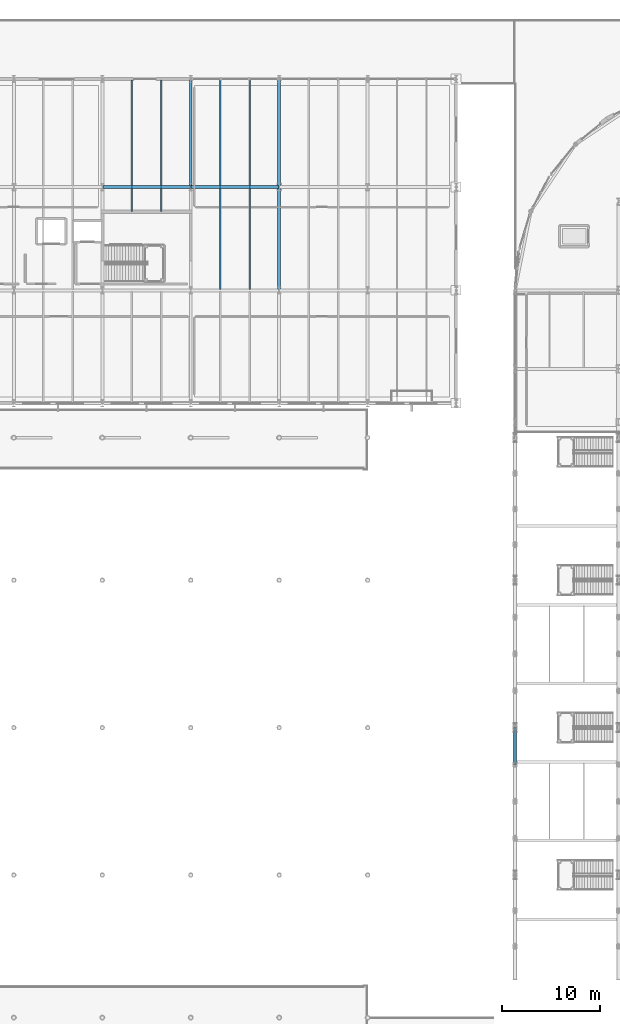
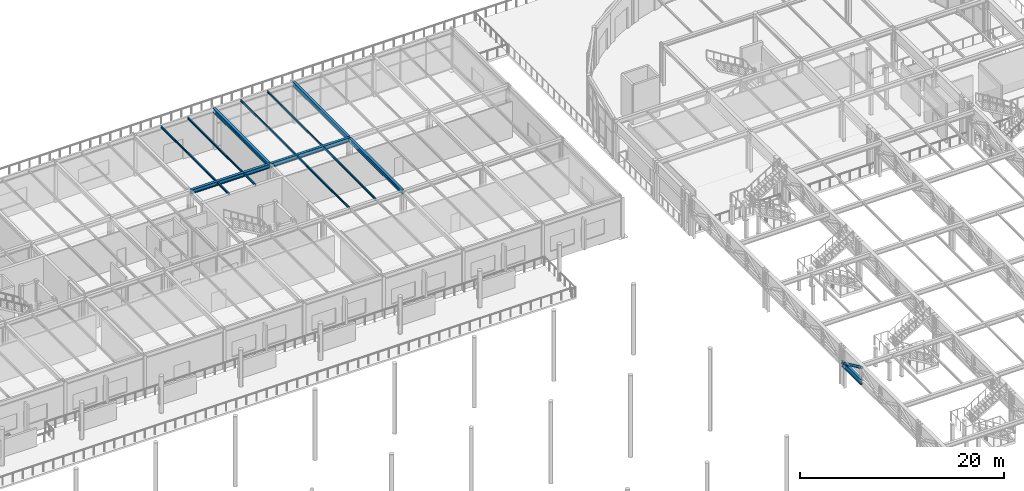
# One storey, part 37 of 143: 13 beams, 2 members.
"""IFC4 building model written with IfcOpenShell, lengths in metres."""

import ifcopenshell
import ifcopenshell.guid

model = None  # the IFC model being written
_history = None  # IfcOwnerHistory: only IFC2X3 demands one
_inside = {}  # id of a spatial element -> (the spatial element, [elements in it])
_under = {}  # id of a project, library or spatial element -> (it, [spatial elements below it])
_declared = {}  # id of a project -> (the project, [libraries it declares])
_typed = {}  # id of a type object -> (the type object, [elements of that type])
_made_of = {}  # id of a material, layer set ... -> (it, [elements and type objects made of it])


def new_model(schema):
    """Start an empty IFC model of exactly this schema.

    Asked for "IFC4X3", IfcOpenShell would pick the latest addendum, in which some entities
    have other attributes; the version numbers below select the first issue.
    IFC2X3 requires an IfcOwnerHistory on every rooted entity: one is made here for all.
    """
    global model, _history
    if schema == "IFC4X3":
        model = ifcopenshell.file(schema_version=(4, 3, 0, 0))
    else:
        model = ifcopenshell.file(schema=schema)
    _inside.clear()
    _under.clear()
    _declared.clear()
    _typed.clear()
    _made_of.clear()
    _history = None
    if model.schema == "IFC2X3":
        org = make("IfcOrganization", Name="unknown")
        user = make(
            "IfcPersonAndOrganization",
            ThePerson=make("IfcPerson", FamilyName="unknown"),
            TheOrganization=org,
        )
        app = make(
            "IfcApplication",
            ApplicationDeveloper=org,
            Version="unknown",
            ApplicationFullName="unknown",
            ApplicationIdentifier="unknown",
        )
        _history = make(
            "IfcOwnerHistory",
            OwningUser=user,
            OwningApplication=app,
            ChangeAction="ADDED",
            CreationDate=0,
        )
    return model


def make(cls, **values):
    """One entity of the class cls with the attributes given. An attribute that is None is left unset."""
    return model.create_entity(
        cls, **{name: value for name, value in values.items() if value is not None}
    )


def rooted(cls, **values):
    """An entity with a GlobalId (a new one), such as an element, a storey or a relation."""
    return make(cls, GlobalId=ifcopenshell.guid.new(), OwnerHistory=_history, **values)


def si_unit(unit_type, name, prefix=None):
    """IfcSIUnit, for example si_unit("LENGTHUNIT", "METRE", prefix="MILLI")."""
    return make("IfcSIUnit", UnitType=unit_type, Prefix=prefix, Name=name)


def assignment(units):
    """IfcUnitAssignment: the units of a project."""
    return None if units is None else make("IfcUnitAssignment", Units=units)


def point(xyz):
    """IfcCartesianPoint."""
    return None if xyz is None else make("IfcCartesianPoint", Coordinates=xyz)


def direction(xyz):
    """IfcDirection."""
    return None if xyz is None else make("IfcDirection", DirectionRatios=xyz)


def frame(location, z_axis=None, x_axis=None):
    """IfcAxis2Placement3D, a coordinate frame: its origin and axes. An axis left out is left unset."""
    return make(
        "IfcAxis2Placement3D",
        Location=point(location),
        Axis=direction(z_axis),
        RefDirection=direction(x_axis),
    )


def frame_2d(location, x_axis=None):
    """IfcAxis2Placement2D, a coordinate frame in the plane: its origin and x axis."""
    return make(
        "IfcAxis2Placement2D", Location=point(location), RefDirection=direction(x_axis)
    )


def origin():
    """The frame at (0, 0, 0) with its axes left unset."""
    return frame((0.0, 0.0, 0.0))


def origin_2d():
    """The frame at (0, 0) in the plane with its x axis left unset."""
    return frame_2d((0.0, 0.0))


def place(relative_to, where):
    """IfcLocalPlacement: puts the frame where relative to a parent placement (None: the world)."""
    return make(
        "IfcLocalPlacement", PlacementRelTo=relative_to, RelativePlacement=where
    )


def context(
    kind, dimensions, precision=None, world=None, true_north=None, identifier=None
):
    """IfcGeometricRepresentationContext, for example the 3D "Model" context."""
    return make(
        "IfcGeometricRepresentationContext",
        ContextIdentifier=identifier,
        ContextType=kind,
        CoordinateSpaceDimension=dimensions,
        Precision=precision,
        WorldCoordinateSystem=world,
        TrueNorth=true_north,
    )


def subcontext(parent, identifier, kind, view, scale=None):
    """IfcGeometricRepresentationSubContext, for example "Body" below "Model"."""
    return make(
        "IfcGeometricRepresentationSubContext",
        ContextIdentifier=identifier,
        ContextType=kind,
        ParentContext=parent,
        TargetScale=scale,
        TargetView=view,
    )


def project(units=None, contexts=None):
    """IfcProject with its units and contexts."""
    return rooted(
        "IfcProject",
        Name="project",
        RepresentationContexts=contexts,
        UnitsInContext=assignment(units),
    )


def spatial(cls, under=None, at=None, **own):
    """A site, building, storey or space (cls), placed at a placement, below another one or the project."""
    s = rooted(cls, ObjectPlacement=at, **own)
    if under is not None:
        _under.setdefault(under.id(), (under, []))[1].append(s)
    return s


def profile(cls, at=None, kind="AREA", **sizes):
    """A parametric profile (cls). Its sizes go by their IFC names, for example OverallWidth=200.0."""
    return make(cls, ProfileType=kind, Position=at, **sizes)


def hollow_circle(**sizes):
    """IfcCircleHollowProfileDef."""
    return profile("IfcCircleHollowProfileDef", **sizes)


def i_section(**sizes):
    """IfcIShapeProfileDef."""
    return profile("IfcIShapeProfileDef", **sizes)


def extrude(swept, where, along, depth):
    """IfcExtrudedAreaSolid: the profile swept, set in the frame where, extruded along a direction by depth."""
    return make(
        "IfcExtrudedAreaSolid",
        SweptArea=swept,
        Position=where,
        ExtrudedDirection=direction(along),
        Depth=depth,
    )


def shape(context_of_items, identifier, shape_type, items):
    """IfcShapeRepresentation: the items that make up one representation, for example the "Body"."""
    return make(
        "IfcShapeRepresentation",
        ContextOfItems=context_of_items,
        RepresentationIdentifier=identifier,
        RepresentationType=shape_type,
        Items=items,
    )


def material(Name=None, Category=None):
    """IfcMaterial."""
    return make("IfcMaterial", Name=Name, Category=Category)


def material_profile(
    of_material, cross_section, Name=None, Category=None, Priority=None
):
    """IfcMaterialProfile: a cross section and its material."""
    return make(
        "IfcMaterialProfile",
        Name=Name,
        Material=of_material,
        Profile=cross_section,
        Priority=Priority,
        Category=Category,
    )


def profile_set(profiles, Name=None, composite=None):
    """IfcMaterialProfileSet."""
    return make(
        "IfcMaterialProfileSet",
        Name=Name,
        MaterialProfiles=profiles,
        CompositeProfile=composite,
    )


def made_of(thing, what):
    """Note that an element or type object is made of a material, layer set ...; save() writes the relation."""
    if what is not None:
        _made_of.setdefault(what.id(), (what, []))[1].append(thing)
    return thing


def type_object(cls, material=None, **own):
    """A type object (cls), such as IfcWallType, which elements share."""
    return made_of(rooted(cls, **own), material)


def element(
    cls,
    number,
    at=None,
    inside=None,
    cuts=None,
    type_object=None,
    material=None,
    context=None,
    identifier="Body",
    shape_type=None,
    held_by="IfcProductDefinitionShape",
    body=None,
    shapes=None,
    **own,
):
    """One element of the class cls, such as IfcWall. Its Tag is "e" and its number.

    at: its placement. inside: the storey or other place that contains it. cuts: it is an
    opening in that element (IfcRelVoidsElement). A single representation is given by context,
    identifier, shape_type and body (its items); several are given by shapes. held_by: the class
    of the entity that holds the representations. save() writes the other relations.
    """
    e = rooted(cls, Tag="e%d" % number, ObjectPlacement=at, **own)
    if body is not None:
        shapes = [shape(context, identifier, shape_type, body)]
    if shapes is not None:
        e.Representation = make(held_by, Representations=shapes)
    if inside is not None:
        _inside.setdefault(inside.id(), (inside, []))[1].append(e)
    if cuts is not None:
        rooted(
            "IfcRelVoidsElement", RelatingBuildingElement=cuts, RelatedOpeningElement=e
        )
    if type_object is not None:
        _typed.setdefault(type_object.id(), (type_object, []))[1].append(e)
    return made_of(e, material)


def aggregate(whole, parts):
    """IfcRelAggregates: a whole, such as a stair, and the parts it consists of."""
    return rooted("IfcRelAggregates", RelatingObject=whole, RelatedObjects=parts)


def save(model, path):
    """Write the relations noted so far, then the file.

    IfcRelAggregates (storeys below a building ...), IfcRelContainedInSpatialStructure (elements
    in a storey), IfcRelDefinesByType, IfcRelAssociatesMaterial and IfcRelDeclares: one each for
    every whole, place, type object, material and project.
    """
    for whole, parts in _under.values():
        aggregate(whole, parts)
    for where, things in _inside.values():
        rooted(
            "IfcRelContainedInSpatialStructure",
            RelatedElements=things,
            RelatingStructure=where,
        )
    for kind, things in _typed.values():
        rooted("IfcRelDefinesByType", RelatedObjects=things, RelatingType=kind)
    for what, things in _made_of.values():
        rooted("IfcRelAssociatesMaterial", RelatedObjects=things, RelatingMaterial=what)
    for by, libraries in _declared.values():
        rooted("IfcRelDeclares", RelatingContext=by, RelatedDefinitions=libraries)
    model.write(path)


model = new_model("IFC4")

# Units and contexts
model_context = context("Model", 3, precision=1e-05, world=origin(), true_north=direction((0.0, 1.0)))
body_context = subcontext(model_context, "Body", "Model", "MODEL_VIEW")
ifc_project = project(units=[si_unit("LENGTHUNIT", "METRE"), si_unit("AREAUNIT", "SQUARE_METRE"), si_unit("VOLUMEUNIT", "CUBIC_METRE"), si_unit("PLANEANGLEUNIT", "RADIAN"), si_unit("MASSUNIT", "GRAM", prefix="KILO")], contexts=[model_context])

# Site, building, storey
site_placement = place(None, origin())
site = spatial("IfcSite", under=ifc_project, at=site_placement, CompositionType="ELEMENT")
building_placement = place(site_placement, origin())
building = spatial("IfcBuilding", under=site, at=building_placement, Name="Marlcrest Central Station", CompositionType="ELEMENT")
storey_placement = place(building_placement, frame((0.0, 0.0, 4.800048828125)))
storey = spatial("IfcBuildingStorey", under=building, at=storey_placement, Name="L01", CompositionType="ELEMENT", Elevation=4.800048828125)

# Beams
ifc_material = material(Name="Steel S355", Category="steel")
ifc_material_profile_1 = material_profile(ifc_material, i_section(OverallWidth=0.300048828125, OverallDepth=0.489990234375, WebThickness=0.011962890625, FlangeThickness=0.02294921875, FilletRadius=0.027099609375, at=origin_2d()), Name="HEA 500")
ifc_profile_set_1 = profile_set([ifc_material_profile_1], Name="Steel S355")
beam_type_1 = type_object("IfcBeamType", Name="BM-10", PredefinedType="BEAM", material=ifc_profile_set_1)
for number, where, z_axis, x_axis, name in (
    (1, (45.050048828125, 121.0, 4.574951171875), (1.0, 0.0, 0.0), (0.0, 1.0, 0.0), "bm-BM-10-L01-00251"),
    (2, (54.050048828125, 121.0, 4.574951171875), (1.0, 0.0, 0.0), (0.0, 1.0, 0.0), "bm-BM-10-L01-00252"),
):
    element("IfcBeam", number, at=place(storey_placement, frame(where, z_axis=z_axis, x_axis=x_axis)), inside=storey, type_object=beam_type_1, Name=name, PredefinedType="BEAM", context=body_context, shape_type="SweptSolid", body=[
        extrude(i_section(OverallWidth=0.300048828125, OverallDepth=0.489990234375, WebThickness=0.011962890625, FlangeThickness=0.02294921875, FilletRadius=0.027099609375, at=origin_2d()), origin(), (0.0, 0.0, 1.0), 8.89990234375),
    ])
beam_1_placement = place(storey_placement, frame((54.0, 121.050048828125, 4.574951171875), z_axis=(0.0, 1.0, 0.0), x_axis=(-1.0, 0.0, 0.0)))
element("IfcBeam", 3, at=beam_1_placement, inside=storey, type_object=beam_type_1, Name="bm-BM-10-L01-00284", PredefinedType="BEAM", context=body_context, shape_type="SweptSolid", body=[
    extrude(i_section(OverallWidth=0.300048828125, OverallDepth=0.489990234375, WebThickness=0.011962890625, FlangeThickness=0.02294921875, FilletRadius=0.027099609375, at=origin_2d()), origin(), (0.0, 0.0, 1.0), 10.89990234375),
])
beam_2_placement = place(storey_placement, frame((63.0, 110.550048828125, 4.574951171875), z_axis=(0.0, 1.0, 0.0), x_axis=(-1.0, 0.0, 0.0)))
element("IfcBeam", 4, at=beam_2_placement, inside=storey, type_object=beam_type_1, Name="bm-BM-10-L01-00286", PredefinedType="BEAM", context=body_context, shape_type="SweptSolid", body=[
    extrude(i_section(OverallWidth=0.300048828125, OverallDepth=0.489990234375, WebThickness=0.011962890625, FlangeThickness=0.02294921875, FilletRadius=0.027099609375, at=origin_2d()), origin(), (0.0, 0.0, 1.0), 10.39990234375),
])
beam_3_placement = place(storey_placement, frame((63.0, 121.050048828125, 4.574951171875), z_axis=(0.0, 1.0, 0.0), x_axis=(-1.0, 0.0, 0.0)))
element("IfcBeam", 5, at=beam_3_placement, inside=storey, type_object=beam_type_1, Name="bm-BM-10-L01-00287", PredefinedType="BEAM", context=body_context, shape_type="SweptSolid", body=[
    extrude(i_section(OverallWidth=0.300048828125, OverallDepth=0.489990234375, WebThickness=0.011962890625, FlangeThickness=0.02294921875, FilletRadius=0.027099609375, at=origin_2d()), origin(), (0.0, 0.0, 1.0), 10.89990234375),
])
ifc_material_profile_2 = material_profile(ifc_material, i_section(OverallWidth=0.1201171875, OverallDepth=0.239990234375, WebThickness=0.006103515625, FlangeThickness=0.009765625, FilletRadius=0.014892578125, at=origin_2d()), Name="IPE 240")
ifc_profile_set_2 = profile_set([ifc_material_profile_2], Name="Steel S355")
beam_type_2 = type_object("IfcBeamType", Name="JS-03", PredefinedType="JOIST", material=ifc_profile_set_2)
beam_4_placement = place(storey_placement, frame((48.0, 118.52001953125, 4.699951171875), z_axis=(0.0, 1.0, 0.0), x_axis=(-1.0, 0.0, 0.0)))
element("IfcBeam", 6, at=beam_4_placement, inside=storey, type_object=beam_type_2, Name="bm-JS-03-L01-00325", PredefinedType="JOIST", context=body_context, shape_type="SweptSolid", body=[
    extrude(i_section(OverallWidth=0.1201171875, OverallDepth=0.239990234375, WebThickness=0.006103515625, FlangeThickness=0.009765625, FilletRadius=0.014892578125, at=origin_2d()), origin(), (0.0, 0.0, 1.0), 2.3798828125),
])
beam_5_placement = place(storey_placement, frame((48.0, 121.10009765625, 4.699951171875), z_axis=(0.0, 1.0, 0.0), x_axis=(-1.0, 0.0, 0.0)))
element("IfcBeam", 7, at=beam_5_placement, inside=storey, type_object=beam_type_2, Name="bm-JS-03-L01-00326", PredefinedType="JOIST", context=body_context, shape_type="SweptSolid", body=[
    extrude(i_section(OverallWidth=0.1201171875, OverallDepth=0.239990234375, WebThickness=0.006103515625, FlangeThickness=0.009765625, FilletRadius=0.014892578125, at=origin_2d()), origin(), (0.0, 0.0, 1.0), 10.804931640625),
])
beam_6_placement = place(storey_placement, frame((51.0, 118.52001953125, 4.699951171875), z_axis=(0.0, 1.0, 0.0), x_axis=(-1.0, 0.0, 0.0)))
element("IfcBeam", 8, at=beam_6_placement, inside=storey, type_object=beam_type_2, Name="bm-JS-03-L01-00328", PredefinedType="JOIST", context=body_context, shape_type="SweptSolid", body=[
    extrude(i_section(OverallWidth=0.1201171875, OverallDepth=0.239990234375, WebThickness=0.006103515625, FlangeThickness=0.009765625, FilletRadius=0.014892578125, at=origin_2d()), origin(), (0.0, 0.0, 1.0), 2.3798828125),
])
beam_7_placement = place(storey_placement, frame((51.0, 121.10009765625, 4.699951171875), z_axis=(0.0, 1.0, 0.0), x_axis=(-1.0, 0.0, 0.0)))
element("IfcBeam", 9, at=beam_7_placement, inside=storey, type_object=beam_type_2, Name="bm-JS-03-L01-00329", PredefinedType="JOIST", context=body_context, shape_type="SweptSolid", body=[
    extrude(i_section(OverallWidth=0.1201171875, OverallDepth=0.239990234375, WebThickness=0.006103515625, FlangeThickness=0.009765625, FilletRadius=0.014892578125, at=origin_2d()), origin(), (0.0, 0.0, 1.0), 10.804931640625),
])
beam_8_placement = place(storey_placement, frame((57.0, 110.60009765625, 4.699951171875), z_axis=(0.0, 1.0, 0.0), x_axis=(-1.0, 0.0, 0.0)))
element("IfcBeam", 10, at=beam_8_placement, inside=storey, type_object=beam_type_2, Name="bm-JS-03-L01-00331", PredefinedType="JOIST", context=body_context, shape_type="SweptSolid", body=[
    extrude(i_section(OverallWidth=0.1201171875, OverallDepth=0.239990234375, WebThickness=0.006103515625, FlangeThickness=0.009765625, FilletRadius=0.014892578125, at=origin_2d()), origin(), (0.0, 0.0, 1.0), 10.2998046875),
])
beam_9_placement = place(storey_placement, frame((57.0, 121.10009765625, 4.699951171875), z_axis=(0.0, 1.0, 0.0), x_axis=(-1.0, 0.0, 0.0)))
element("IfcBeam", 11, at=beam_9_placement, inside=storey, type_object=beam_type_2, Name="bm-JS-03-L01-00332", PredefinedType="JOIST", context=body_context, shape_type="SweptSolid", body=[
    extrude(i_section(OverallWidth=0.1201171875, OverallDepth=0.239990234375, WebThickness=0.006103515625, FlangeThickness=0.009765625, FilletRadius=0.014892578125, at=origin_2d()), origin(), (0.0, 0.0, 1.0), 10.804931640625),
])
beam_10_placement = place(storey_placement, frame((60.0, 110.60009765625, 4.699951171875), z_axis=(0.0, 1.0, 0.0), x_axis=(-1.0, 0.0, 0.0)))
element("IfcBeam", 12, at=beam_10_placement, inside=storey, type_object=beam_type_2, Name="bm-JS-03-L01-00334", PredefinedType="JOIST", context=body_context, shape_type="SweptSolid", body=[
    extrude(i_section(OverallWidth=0.1201171875, OverallDepth=0.239990234375, WebThickness=0.006103515625, FlangeThickness=0.009765625, FilletRadius=0.014892578125, at=origin_2d()), origin(), (0.0, 0.0, 1.0), 10.2998046875),
])
beam_11_placement = place(storey_placement, frame((60.0, 121.10009765625, 4.699951171875), z_axis=(0.0, 1.0, 0.0), x_axis=(-1.0, 0.0, 0.0)))
element("IfcBeam", 13, at=beam_11_placement, inside=storey, type_object=beam_type_2, Name="bm-JS-03-L01-00335", PredefinedType="JOIST", context=body_context, shape_type="SweptSolid", body=[
    extrude(i_section(OverallWidth=0.1201171875, OverallDepth=0.239990234375, WebThickness=0.006103515625, FlangeThickness=0.009765625, FilletRadius=0.014892578125, at=origin_2d()), origin(), (0.0, 0.0, 1.0), 10.804931640625),
])

# Members
ifc_material_profile_3 = material_profile(ifc_material, i_section(OverallWidth=0.300048828125, OverallDepth=0.64990234375, WebThickness=0.01611328125, FlangeThickness=0.031005859375, FilletRadius=0.027099609375, at=origin_2d()), Name="HEB 650")
ifc_profile_set_3 = profile_set([ifc_material_profile_3], Name="Steel S355")
member_type_1 = type_object("IfcMemberType", Name="TC-01", PredefinedType="CHORD", material=ifc_profile_set_3)
member_1_placement = place(storey_placement, frame((87.0, 62.25, 2.744873046875), z_axis=(0.0, 1.0, 0.0), x_axis=(-1.0, 0.0, 0.0)))
element("IfcMember", 14, at=member_1_placement, inside=storey, type_object=member_type_1, Name="mem-TC-01-L01-02140", PredefinedType="CHORD", context=body_context, shape_type="SweptSolid", body=[
    extrude(i_section(OverallWidth=0.300048828125, OverallDepth=0.64990234375, WebThickness=0.01611328125, FlangeThickness=0.031005859375, FilletRadius=0.027099609375, at=origin_2d()), origin(), (0.0, 0.0, 1.0), 3.75),
])
ifc_material_profile_4 = material_profile(ifc_material, hollow_circle(Radius=0.161865234375, WallThickness=0.01611328125, at=origin_2d()), Name="CHS 323.9x16")
ifc_profile_set_4 = profile_set([ifc_material_profile_4], Name="Steel S355")
member_type_2 = type_object("IfcMemberType", Name="TD-01", PredefinedType="BRACE", material=ifc_profile_set_4)
member_2_placement = place(storey_placement, frame((87.0, 62.25, 4.494873046875), z_axis=(0.0, 0.906183139995, -0.422885465331), x_axis=(-1.0, 0.0, 0.0)))
element("IfcMember", 15, at=member_2_placement, inside=storey, type_object=member_type_2, Name="mem-TD-01-L01-02142", PredefinedType="BRACE", context=body_context, shape_type="SweptSolid", body=[
    extrude(hollow_circle(Radius=0.161865234375, WallThickness=0.01611328125, at=origin_2d()), origin(), (0.0, 0.0, 1.0), 4.13818359375),
])

save(model, "model.ifc")
